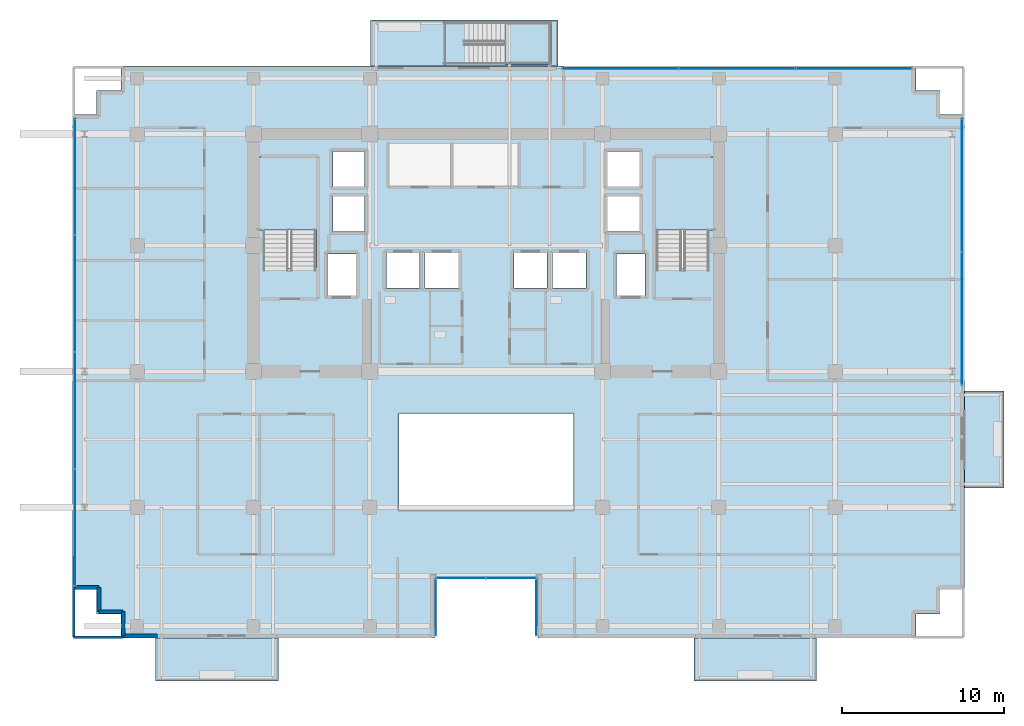
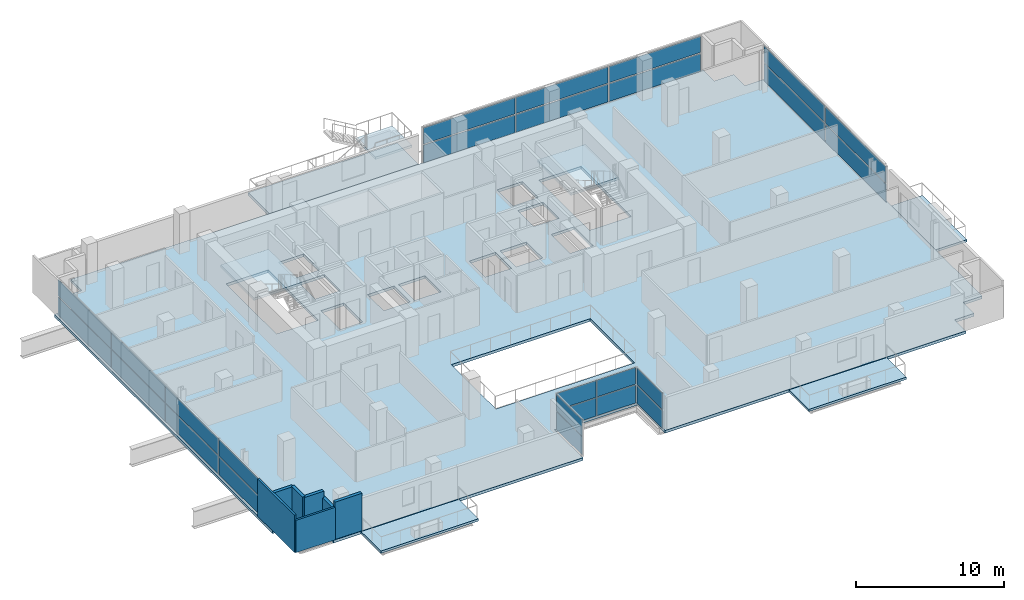
# One storey, part 17 of 27: 26 plates, 8 slabs, 7 walls, 9 elements without a shape of their own.
"""IFC4 building model written with IfcOpenShell, lengths in metres."""

from ifc_helpers import new_model, si_unit, direction, frame, frame_2d, origin, origin_2d, place, context, subcontext, project, spatial, polyline, rectangle, outline, extrude, source, transform, mapped, material, layer, layer_set, type_object, element, aggregate, save


model = new_model("IFC4")

# Units and contexts
model_context = context("Model", 3, precision=1e-05, world=origin(), true_north=direction((0.0, 1.0)))
body_context = subcontext(model_context, "Body", "Model", "MODEL_VIEW")
ifc_project = project(units=[si_unit("LENGTHUNIT", "METRE"), si_unit("AREAUNIT", "SQUARE_METRE"), si_unit("VOLUMEUNIT", "CUBIC_METRE"), si_unit("PLANEANGLEUNIT", "RADIAN"), si_unit("MASSUNIT", "GRAM", prefix="KILO")], contexts=[model_context])

# Site, building, storey
site_placement = place(None, origin())
site = spatial("IfcSite", under=ifc_project, at=site_placement, CompositionType="ELEMENT")
building_placement = place(site_placement, origin())
building = spatial("IfcBuilding", under=site, at=building_placement, Name="Zarnakvel Exchange Tower", CompositionType="ELEMENT")
storey_placement = place(building_placement, frame((0.0, 0.0, 113.199951171875)))
storey = spatial("IfcBuildingStorey", under=building, at=storey_placement, Name="L31", CompositionType="ELEMENT", Elevation=113.199951171875)

# Stair, slab
ifc_material_1 = material(Name="Concrete C40/50", Category="concrete")
stair_type_1 = type_object("IfcStairType", Name="STR-01", PredefinedType="HALF_TURN_STAIR", material=ifc_material_1)
stair_1_placement = place(storey_placement, origin())
stair_1 = element("IfcStair", 1, at=stair_1_placement, inside=storey, type_object=stair_type_1, Name="L31 Protected Core Exit Stair ST-01", PredefinedType="HALF_TURN_STAIR")
ifc_layer_1 = layer(ifc_material_1, 0.199951171875)
ifc_layer_set_1 = layer_set([ifc_layer_1], Name="Concrete C40/50")
slab_type_1 = type_object("IfcSlabType", Name="LDG-01", PredefinedType="LANDING", material=ifc_layer_set_1)
slab_1_placement = place(storey_placement, frame((0.0, 0.0, 1.449951171875)))
slab_1 = element("IfcSlab", 2, at=slab_1_placement, type_object=slab_type_1, Name="ST-01 landing 1", PredefinedType="LANDING", context=body_context, shape_type="SweptSolid", body=[
    extrude(outline(polyline([(-14.18994140625, 7.570068359375), (-10.4599609375, 7.570068359375), (-10.4599609375, 12.080078125), (-14.18994140625, 12.080078125), (-14.18994140625, 7.570068359375)])), origin(), (0.0, 0.0, 1.0), 0.2001953125),
])
aggregate(stair_1, [slab_1])

stair_2_placement = place(storey_placement, origin())
stair_2 = element("IfcStair", 3, at=stair_2_placement, inside=storey, type_object=stair_type_1, Name="L31 Protected Core Exit Stair ST-02", PredefinedType="HALF_TURN_STAIR")
slab_2_placement = place(storey_placement, frame((0.0, 0.0, 1.449951171875)))
slab_2 = element("IfcSlab", 4, at=slab_2_placement, type_object=slab_type_1, Name="ST-02 landing 1", PredefinedType="LANDING", context=body_context, shape_type="SweptSolid", body=[
    extrude(outline(polyline([(10.4599609375, 7.570068359375), (14.18994140625, 7.570068359375), (14.18994140625, 12.080078125), (10.4599609375, 12.080078125), (10.4599609375, 7.570068359375)])), origin(), (0.0, 0.0, 1.0), 0.2001953125),
])
aggregate(stair_2, [slab_2])

stair_type_2 = type_object("IfcStairType", Name="STR-05", PredefinedType="HALF_TURN_STAIR", material=ifc_material_1)
stair_3_placement = place(storey_placement, origin())
stair_3 = element("IfcStair", 5, at=stair_3_placement, inside=storey, type_object=stair_type_2, Name="L31 Spiral Sky-Terrace Connecting Stair ST-10", PredefinedType="HALF_TURN_STAIR")
slab_3_placement = place(storey_placement, frame((0.0, 0.0, 1.449951171875)))
slab_3 = element("IfcSlab", 6, at=slab_3_placement, type_object=slab_type_1, Name="ST-10 landing 1", PredefinedType="LANDING", context=body_context, shape_type="SweptSolid", body=[
    extrude(outline(polyline([(1.169921875, 17.820068359375), (4.0, 17.820068359375), (4.0, 20.43994140625), (1.169921875, 20.43994140625), (1.169921875, 17.820068359375)])), origin(), (0.0, 0.0, 1.0), 0.2001953125),
])
aggregate(stair_3, [slab_3])

# Slabs
ifc_layer_2 = layer(ifc_material_1, 0.22509765625)
ifc_layer_set_2 = layer_set([ifc_layer_2], Name="Concrete C40/50")
slab_type_2 = type_object("IfcSlabType", Name="SL-04", PredefinedType="FLOOR", material=ifc_layer_set_2)
slab_4_placement = place(storey_placement, frame((0.0, 0.0, -0.224853515625)))
element("IfcSlab", 7, at=slab_4_placement, inside=storey, type_object=slab_type_2, Name="L31 Primary Structural Floor Slab", PredefinedType="FLOOR", context=body_context, shape_type="SweptSolid", body=[
    extrude(outline(polyline([(-25.60009765625, -14.699951171875), (-24.10009765625, -14.699951171875), (-24.10009765625, -16.199951171875), (-22.60009765625, -16.199951171875), (-22.60009765625, -17.699951171875), (-3.199951171875, -17.699951171875), (-3.199951171875, -13.89990234375), (3.199951171875, -13.89990234375), (3.199951171875, -17.699951171875), (26.60009765625, -17.699951171875), (26.60009765625, -16.199951171875), (28.10009765625, -16.199951171875), (28.10009765625, -14.699951171875), (29.60009765625, -14.699951171875), (29.60009765625, 14.699951171875), (28.10009765625, 14.699951171875), (28.10009765625, 16.199951171875), (26.60009765625, 16.199951171875), (26.60009765625, 17.699951171875), (-22.60009765625, 17.699951171875), (-22.60009765625, 16.199951171875), (-24.10009765625, 16.199951171875), (-24.10009765625, 14.699951171875), (-25.60009765625, 14.699951171875), (-25.60009765625, -14.699951171875)]), holes=[polyline([(-5.39990234375, -9.800048828125), (5.39990234375, -9.800048828125), (5.39990234375, -3.800048828125), (-5.39990234375, -3.800048828125), (-5.39990234375, -9.800048828125)]), polyline([(-13.800048828125, 5.2099609375), (-10.5400390625, 5.2099609375), (-10.5400390625, 12.0), (-13.800048828125, 12.0), (-13.800048828125, 5.2099609375)]), polyline([(10.5400390625, 5.2099609375), (13.800048828125, 5.2099609375), (13.800048828125, 12.0), (10.5400390625, 12.0), (10.5400390625, 5.2099609375)]), polyline([(-9.830078125, 3.52001953125), (-8.070068359375, 3.52001953125), (-8.070068359375, 6.080078125), (-9.830078125, 6.080078125), (-9.830078125, 3.52001953125)]), polyline([(8.070068359375, 3.52001953125), (9.830078125, 3.52001953125), (9.830078125, 6.080078125), (8.070068359375, 6.080078125), (8.070068359375, 3.52001953125)]), polyline([(-6.179931640625, 3.969970703125), (-4.1201171875, 3.969970703125), (-4.1201171875, 6.1298828125), (-6.179931640625, 6.1298828125), (-6.179931640625, 3.969970703125)]), polyline([(-3.780029296875, 3.969970703125), (-1.719970703125, 3.969970703125), (-1.719970703125, 6.1298828125), (-3.780029296875, 6.1298828125), (-3.780029296875, 3.969970703125)]), polyline([(1.719970703125, 3.969970703125), (3.780029296875, 3.969970703125), (3.780029296875, 6.1298828125), (1.719970703125, 6.1298828125), (1.719970703125, 3.969970703125)]), polyline([(4.1201171875, 3.969970703125), (6.179931640625, 3.969970703125), (6.179931640625, 6.1298828125), (4.1201171875, 6.1298828125), (4.1201171875, 3.969970703125)]), polyline([(-9.47998046875, 7.469970703125), (-7.52001953125, 7.469970703125), (-7.52001953125, 9.6298828125), (-9.47998046875, 9.6298828125), (-9.47998046875, 7.469970703125)]), polyline([(-9.47998046875, 10.27001953125), (-7.52001953125, 10.27001953125), (-7.52001953125, 12.429931640625), (-9.47998046875, 12.429931640625), (-9.47998046875, 10.27001953125)]), polyline([(7.52001953125, 7.469970703125), (9.47998046875, 7.469970703125), (9.47998046875, 9.6298828125), (7.52001953125, 9.6298828125), (7.52001953125, 7.469970703125)]), polyline([(7.52001953125, 10.27001953125), (9.47998046875, 10.27001953125), (9.47998046875, 12.429931640625), (7.52001953125, 12.429931640625), (7.52001953125, 10.27001953125)])]), origin(), (0.0, 0.0, 1.0), 0.224853515625),
])
ifc_layer_3 = layer(ifc_material_1, 0.25)
ifc_layer_set_3 = layer_set([ifc_layer_3], Name="Concrete C40/50")
slab_type_3 = type_object("IfcSlabType", Name="SL-07", PredefinedType="ROOF", material=ifc_layer_set_3)
slab_5_placement = place(storey_placement, frame((0.0, 0.0, -0.25)))
element("IfcSlab", 8, at=slab_5_placement, inside=storey, type_object=slab_type_3, Name="L31 Spiral Sky-Terrace Outdoor Slab (NW)", PredefinedType="ROOF", context=body_context, shape_type="SweptSolid", body=[
    extrude(outline(polyline([(-7.14990234375, 17.699951171875), (4.449951171875, 17.699951171875), (4.449951171875, 20.56005859375), (-7.14990234375, 20.56005859375), (-7.14990234375, 17.699951171875)])), origin(), (0.0, 0.0, 1.0), 0.25),
])
ifc_layer_4 = layer(ifc_material_1, 0.18994140625)
ifc_layer_set_4 = layer_set([ifc_layer_4], Name="Concrete C40/50")
slab_type_4 = type_object("IfcSlabType", Name="SL-08", PredefinedType="USERDEFINED", material=ifc_layer_set_4)
slab_6_placement = place(storey_placement, frame((0.0, 0.0, -0.224853515625)))
element("IfcSlab", 9, at=slab_6_placement, inside=storey, type_object=slab_type_4, Name="L31 Planted Loggia Balcony Slab BAL-L31-SW", ObjectType="BALCONY", PredefinedType="USERDEFINED", context=body_context, shape_type="SweptSolid", body=[
    extrude(outline(polyline([(-20.449951171875, -20.35009765625), (-12.85009765625, -20.35009765625), (-12.85009765625, -17.699951171875), (-20.449951171875, -17.699951171875), (-20.449951171875, -20.35009765625)])), origin(), (0.0, 0.0, 1.0), 0.18994140625),
])
slab_7_placement = place(storey_placement, frame((0.0, 0.0, -0.224853515625)))
element("IfcSlab", 10, at=slab_7_placement, inside=storey, type_object=slab_type_4, Name="L31 Planted Loggia Balcony Slab BAL-L31-SE", ObjectType="BALCONY", PredefinedType="USERDEFINED", context=body_context, shape_type="SweptSolid", body=[
    extrude(outline(polyline([(12.85009765625, -20.35009765625), (20.449951171875, -20.35009765625), (20.449951171875, -17.699951171875), (12.85009765625, -17.699951171875), (12.85009765625, -20.35009765625)])), origin(), (0.0, 0.0, 1.0), 0.18994140625),
])
slab_8_placement = place(storey_placement, frame((0.0, 0.0, -0.224853515625)))
element("IfcSlab", 11, at=slab_8_placement, inside=storey, type_object=slab_type_4, Name="L31 Planted Loggia Balcony Slab BAL-L31-E", ObjectType="BALCONY", PredefinedType="USERDEFINED", context=body_context, shape_type="SweptSolid", body=[
    extrude(outline(polyline([(29.60009765625, -8.39990234375), (32.050048828125, -8.39990234375), (32.050048828125, -2.39990234375), (29.60009765625, -2.39990234375), (29.60009765625, -8.39990234375)])), origin(), (0.0, 0.0, 1.0), 0.18994140625),
])

# Curtain wall, plate
ifc_material_2 = material(Name="Architectural Bronze Anodised Aluminium", Category="aluminium")
ifc_layer_5 = layer(ifc_material_2, 0.179931640625)
ifc_layer_set_5 = layer_set([ifc_layer_5], Name="Architectural Bronze Anodised Aluminium")
curtain_wall_type_1 = type_object("IfcCurtainWallType", Name="CW-05", PredefinedType="NOTDEFINED", material=ifc_layer_set_5)
curtain_wall_1_placement = place(storey_placement, origin())
curtain_wall_1 = element("IfcCurtainWall", 12, at=curtain_wall_1_placement, inside=storey, type_object=curtain_wall_type_1, Name="L31 Curtain Wall CW-L31-SLW (CW-05)", PredefinedType="NOTDEFINED")
ifc_material_3 = material(Name="Double Low-E Laminated Vision Glass", Category="glass")
ifc_layer_6 = layer(ifc_material_3, 0.02587890625)
ifc_layer_set_6 = layer_set([ifc_layer_6], Name="Double Low-E Laminated Vision Glass")
plate_type_1 = type_object("IfcPlateType", Name="CWP-05", PredefinedType="CURTAIN_PANEL", material=ifc_layer_set_6)
shared_shape_1 = source(origin(), body_context, "Body", "SweptSolid", [
    extrude(rectangle(XDim=3.4599609375, YDim=0.02587890625, at=origin_2d()), origin(), (0.0, 0.0, 1.0), 1.483642578125),
])
plate_1_placement = place(storey_placement, frame((-3.1201171875, -15.780029296875, 0.06982421875), z_axis=(0.0, 0.0, 1.0), x_axis=(0.0, 1.0, 0.0)))
plate_1 = element("IfcPlate", 13, at=plate_1_placement, type_object=plate_type_1, Name="CW-05 panel 1.1", PredefinedType="CURTAIN_PANEL", context=body_context, shape_type="MappedRepresentation", body=[
    mapped(shared_shape_1, transform((0.0, 0.0, 0.0), x_axis=(1.0, 0.0, 0.0), y_axis=(0.0, 1.0, 0.0), z_axis=(0.0, 0.0, 1.0), scale=1.0)),
])

curtain_wall_2_placement = place(storey_placement, origin())
curtain_wall_2 = element("IfcCurtainWall", 14, at=curtain_wall_2_placement, inside=storey, type_object=curtain_wall_type_1, Name="L31 Curtain Wall CW-L31-SLE (CW-05)", PredefinedType="NOTDEFINED")
plate_2_placement = place(storey_placement, frame((3.1201171875, -15.780029296875, 0.06982421875), z_axis=(0.0, 0.0, 1.0), x_axis=(0.0, -1.0, 0.0)))
plate_2 = element("IfcPlate", 15, at=plate_2_placement, type_object=plate_type_1, Name="CW-05 panel 1.1", PredefinedType="CURTAIN_PANEL", context=body_context, shape_type="MappedRepresentation", body=[
    mapped(shared_shape_1, transform((0.0, 0.0, 0.0), x_axis=(1.0, 0.0, 0.0), y_axis=(0.0, 1.0, 0.0), z_axis=(0.0, 0.0, 1.0), scale=1.0)),
])

# Plate
shared_shape_2 = source(origin(), body_context, "Body", "SweptSolid", [
    extrude(rectangle(XDim=3.4599609375, YDim=0.02587890625, at=origin_2d()), origin(), (0.0, 0.0, 1.0), 1.361328125),
])
plate_3_placement = place(storey_placement, frame((-3.1201171875, -15.780029296875, 1.623779296875), z_axis=(0.0, 0.0, 1.0), x_axis=(0.0, 1.0, 0.0)))
plate_3 = element("IfcPlate", 16, at=plate_3_placement, type_object=plate_type_1, Name="CW-05 panel 1.2", PredefinedType="CURTAIN_PANEL", context=body_context, shape_type="MappedRepresentation", body=[
    mapped(shared_shape_2, transform((0.0, 0.0, 0.0), x_axis=(1.0, 0.0, 0.0), y_axis=(0.0, 1.0, 0.0), z_axis=(0.0, 0.0, 1.0), scale=1.0)),
])

aggregate(curtain_wall_1, [plate_1, plate_3])

plate_4_placement = place(storey_placement, frame((3.1201171875, -15.780029296875, 1.623779296875), z_axis=(0.0, 0.0, 1.0), x_axis=(0.0, -1.0, 0.0)))
plate_4 = element("IfcPlate", 17, at=plate_4_placement, type_object=plate_type_1, Name="CW-05 panel 1.2", PredefinedType="CURTAIN_PANEL", context=body_context, shape_type="MappedRepresentation", body=[
    mapped(shared_shape_2, transform((0.0, 0.0, 0.0), x_axis=(1.0, 0.0, 0.0), y_axis=(0.0, 1.0, 0.0), z_axis=(0.0, 0.0, 1.0), scale=1.0)),
])

aggregate(curtain_wall_2, [plate_2, plate_4])

# Curtain wall, plates
curtain_wall_3_placement = place(storey_placement, origin())
curtain_wall_3 = element("IfcCurtainWall", 18, at=curtain_wall_3_placement, inside=storey, type_object=curtain_wall_type_1, Name="L31 Curtain Wall CW-L31-SLB (CW-05)", PredefinedType="NOTDEFINED")
shared_shape_3 = source(origin(), body_context, "Body", "SweptSolid", [
    extrude(rectangle(XDim=3.014892578125, YDim=0.02587890625, at=origin_2d()), origin(), (0.0, 0.0, 1.0), 1.483642578125),
])
plate_5_placement = place(storey_placement, frame((-1.54248046875, -13.97998046875, 0.06982421875), z_axis=(0.0, 0.0, 1.0), x_axis=(1.0, 0.0, 0.0)))
plate_5 = element("IfcPlate", 19, at=plate_5_placement, type_object=plate_type_1, Name="CW-05 panel 1.1", PredefinedType="CURTAIN_PANEL", context=body_context, shape_type="MappedRepresentation", body=[
    mapped(shared_shape_3, transform((0.0, 0.0, 0.0), x_axis=(1.0, 0.0, 0.0), y_axis=(0.0, 1.0, 0.0), z_axis=(0.0, 0.0, 1.0), scale=1.0)),
])
plate_6_placement = place(storey_placement, frame((1.54248046875, -13.97998046875, 0.06982421875), z_axis=(0.0, 0.0, 1.0), x_axis=(1.0, 0.0, 0.0)))
plate_6 = element("IfcPlate", 20, at=plate_6_placement, type_object=plate_type_1, Name="CW-05 panel 2.1", PredefinedType="CURTAIN_PANEL", context=body_context, shape_type="MappedRepresentation", body=[
    mapped(shared_shape_3, transform((0.0, 0.0, 0.0), x_axis=(1.0, 0.0, 0.0), y_axis=(0.0, 1.0, 0.0), z_axis=(0.0, 0.0, 1.0), scale=1.0)),
])
shared_shape_4 = source(origin(), body_context, "Body", "SweptSolid", [
    extrude(rectangle(XDim=3.014892578125, YDim=0.02587890625, at=origin_2d()), origin(), (0.0, 0.0, 1.0), 1.361328125),
])
plate_7_placement = place(storey_placement, frame((-1.54248046875, -13.97998046875, 1.623779296875), z_axis=(0.0, 0.0, 1.0), x_axis=(1.0, 0.0, 0.0)))
plate_7 = element("IfcPlate", 21, at=plate_7_placement, type_object=plate_type_1, Name="CW-05 panel 1.2", PredefinedType="CURTAIN_PANEL", context=body_context, shape_type="MappedRepresentation", body=[
    mapped(shared_shape_4, transform((0.0, 0.0, 0.0), x_axis=(1.0, 0.0, 0.0), y_axis=(0.0, 1.0, 0.0), z_axis=(0.0, 0.0, 1.0), scale=1.0)),
])
plate_8_placement = place(storey_placement, frame((1.54248046875, -13.97998046875, 1.623779296875), z_axis=(0.0, 0.0, 1.0), x_axis=(1.0, 0.0, 0.0)))
plate_8 = element("IfcPlate", 22, at=plate_8_placement, type_object=plate_type_1, Name="CW-05 panel 2.2", PredefinedType="CURTAIN_PANEL", context=body_context, shape_type="MappedRepresentation", body=[
    mapped(shared_shape_4, transform((0.0, 0.0, 0.0), x_axis=(1.0, 0.0, 0.0), y_axis=(0.0, 1.0, 0.0), z_axis=(0.0, 0.0, 1.0), scale=1.0)),
])
aggregate(curtain_wall_3, [plate_5, plate_7, plate_6, plate_8])

ifc_layer_7 = layer(ifc_material_2, 0.239990234375)
ifc_layer_set_7 = layer_set([ifc_layer_7], Name="Architectural Bronze Anodised Aluminium")
curtain_wall_type_2 = type_object("IfcCurtainWallType", Name="CW-02", PredefinedType="NOTDEFINED", material=ifc_layer_set_7)
curtain_wall_4_placement = place(storey_placement, origin())
curtain_wall_4 = element("IfcCurtainWall", 23, at=curtain_wall_4_placement, inside=storey, type_object=curtain_wall_type_2, Name="L31 Curtain Wall CW-L31-N1 (CW-02)", PredefinedType="NOTDEFINED")
ifc_layer_8 = layer(ifc_material_3, 0.031982421875)
ifc_layer_set_8 = layer_set([ifc_layer_8], Name="Double Low-E Laminated Vision Glass")
plate_type_2 = type_object("IfcPlateType", Name="CWP-02", PredefinedType="CURTAIN_PANEL", material=ifc_layer_set_8)
shared_shape_5 = source(origin(), body_context, "Body", "SweptSolid", [
    extrude(rectangle(XDim=7.114990234375, YDim=0.031982421875, at=origin_2d()), origin(), (0.0, 0.0, 1.0), 1.461181640625),
])
plate_9_placement = place(storey_placement, frame((8.297607421875, 17.56005859375, 0.0849609375), z_axis=(0.0, 0.0, 1.0), x_axis=(1.0, 0.0, 0.0)))
plate_9 = element("IfcPlate", 24, at=plate_9_placement, type_object=plate_type_2, Name="CW-02 panel 1.1", PredefinedType="CURTAIN_PANEL", context=body_context, shape_type="MappedRepresentation", body=[
    mapped(shared_shape_5, transform((0.0, 0.0, 0.0), x_axis=(1.0, 0.0, 0.0), y_axis=(0.0, 1.0, 0.0), z_axis=(0.0, 0.0, 1.0), scale=1.0)),
])
plate_10_placement = place(storey_placement, frame((22.75244140625, 17.56005859375, 0.0849609375), z_axis=(0.0, 0.0, 1.0), x_axis=(1.0, 0.0, 0.0)))
plate_10 = element("IfcPlate", 25, at=plate_10_placement, type_object=plate_type_2, Name="CW-02 panel 3.1", PredefinedType="CURTAIN_PANEL", context=body_context, shape_type="MappedRepresentation", body=[
    mapped(shared_shape_5, transform((0.0, 0.0, 0.0), x_axis=(1.0, 0.0, 0.0), y_axis=(0.0, 1.0, 0.0), z_axis=(0.0, 0.0, 1.0), scale=1.0)),
])
shared_shape_6 = source(origin(), body_context, "Body", "SweptSolid", [
    extrude(rectangle(XDim=7.114990234375, YDim=0.031982421875, at=origin_2d()), origin(), (0.0, 0.0, 1.0), 1.3388671875),
])
plate_11_placement = place(storey_placement, frame((8.297607421875, 17.56005859375, 1.631103515625), z_axis=(0.0, 0.0, 1.0), x_axis=(1.0, 0.0, 0.0)))
plate_11 = element("IfcPlate", 26, at=plate_11_placement, type_object=plate_type_2, Name="CW-02 panel 1.2", PredefinedType="CURTAIN_PANEL", context=body_context, shape_type="MappedRepresentation", body=[
    mapped(shared_shape_6, transform((0.0, 0.0, 0.0), x_axis=(1.0, 0.0, 0.0), y_axis=(0.0, 1.0, 0.0), z_axis=(0.0, 0.0, 1.0), scale=1.0)),
])
plate_12_placement = place(storey_placement, frame((22.75244140625, 17.56005859375, 1.631103515625), z_axis=(0.0, 0.0, 1.0), x_axis=(1.0, 0.0, 0.0)))
plate_12 = element("IfcPlate", 27, at=plate_12_placement, type_object=plate_type_2, Name="CW-02 panel 3.2", PredefinedType="CURTAIN_PANEL", context=body_context, shape_type="MappedRepresentation", body=[
    mapped(shared_shape_6, transform((0.0, 0.0, 0.0), x_axis=(1.0, 0.0, 0.0), y_axis=(0.0, 1.0, 0.0), z_axis=(0.0, 0.0, 1.0), scale=1.0)),
])
shared_shape_7 = source(origin(), body_context, "Body", "SweptSolid", [
    extrude(rectangle(XDim=7.159912109375, YDim=0.031982421875, at=origin_2d()), origin(), (0.0, 0.0, 1.0), 1.461181640625),
])
plate_13_placement = place(storey_placement, frame((15.52490234375, 17.56005859375, 0.0849609375), z_axis=(0.0, 0.0, 1.0), x_axis=(1.0, 0.0, 0.0)))
plate_13 = element("IfcPlate", 28, at=plate_13_placement, type_object=plate_type_2, Name="CW-02 panel 2.1", PredefinedType="CURTAIN_PANEL", context=body_context, shape_type="MappedRepresentation", body=[
    mapped(shared_shape_7, transform((0.0, 0.0, 0.0), x_axis=(1.0, 0.0, 0.0), y_axis=(0.0, 1.0, 0.0), z_axis=(0.0, 0.0, 1.0), scale=1.0)),
])
shared_shape_8 = source(origin(), body_context, "Body", "SweptSolid", [
    extrude(rectangle(XDim=7.159912109375, YDim=0.031982421875, at=origin_2d()), origin(), (0.0, 0.0, 1.0), 1.3388671875),
])
plate_14_placement = place(storey_placement, frame((15.52490234375, 17.56005859375, 1.631103515625), z_axis=(0.0, 0.0, 1.0), x_axis=(1.0, 0.0, 0.0)))
plate_14 = element("IfcPlate", 29, at=plate_14_placement, type_object=plate_type_2, Name="CW-02 panel 2.2", PredefinedType="CURTAIN_PANEL", context=body_context, shape_type="MappedRepresentation", body=[
    mapped(shared_shape_8, transform((0.0, 0.0, 0.0), x_axis=(1.0, 0.0, 0.0), y_axis=(0.0, 1.0, 0.0), z_axis=(0.0, 0.0, 1.0), scale=1.0)),
])
aggregate(curtain_wall_4, [plate_9, plate_11, plate_13, plate_14, plate_10, plate_12])

ifc_layer_9 = layer(ifc_material_2, 0.199951171875)
ifc_layer_set_9 = layer_set([ifc_layer_9], Name="Architectural Bronze Anodised Aluminium")
curtain_wall_type_3 = type_object("IfcCurtainWallType", Name="CW-04", PredefinedType="NOTDEFINED", material=ifc_layer_set_9)
curtain_wall_5_placement = place(storey_placement, origin())
curtain_wall_5 = element("IfcCurtainWall", 30, at=curtain_wall_5_placement, inside=storey, type_object=curtain_wall_type_3, Name="L31 Curtain Wall CW-L31-W1 (CW-04)", PredefinedType="NOTDEFINED")
ifc_layer_10 = layer(ifc_material_3, 0.028076171875)
ifc_layer_set_10 = layer_set([ifc_layer_10], Name="Double Low-E Laminated Vision Glass")
plate_type_3 = type_object("IfcPlateType", Name="CWP-04", PredefinedType="CURTAIN_PANEL", material=ifc_layer_set_10)
shared_shape_9 = source(origin(), body_context, "Body", "SweptSolid", [
    extrude(rectangle(XDim=7.137451171875, YDim=0.028076171875, at=origin_2d()), origin(), (0.0, 0.0, 1.0), 1.47607421875),
])
plate_15_placement = place(storey_placement, frame((-25.4599609375, -10.856201171875, 0.074951171875), z_axis=(0.0, 0.0, 1.0), x_axis=(0.0, 1.0, 0.0)))
plate_15 = element("IfcPlate", 31, at=plate_15_placement, type_object=plate_type_3, Name="CW-04 panel 1.1", PredefinedType="CURTAIN_PANEL", context=body_context, shape_type="MappedRepresentation", body=[
    mapped(shared_shape_9, transform((0.0, 0.0, 0.0), x_axis=(1.0, 0.0, 0.0), y_axis=(0.0, 1.0, 0.0), z_axis=(0.0, 0.0, 1.0), scale=1.0)),
])
plate_16_placement = place(storey_placement, frame((-25.4599609375, 10.856201171875, 0.074951171875), z_axis=(0.0, 0.0, 1.0), x_axis=(0.0, 1.0, 0.0)))
plate_16 = element("IfcPlate", 32, at=plate_16_placement, type_object=plate_type_3, Name="CW-04 panel 4.1", PredefinedType="CURTAIN_PANEL", context=body_context, shape_type="MappedRepresentation", body=[
    mapped(shared_shape_9, transform((0.0, 0.0, 0.0), x_axis=(1.0, 0.0, 0.0), y_axis=(0.0, 1.0, 0.0), z_axis=(0.0, 0.0, 1.0), scale=1.0)),
])
shared_shape_10 = source(origin(), body_context, "Body", "SweptSolid", [
    extrude(rectangle(XDim=7.137451171875, YDim=0.028076171875, at=origin_2d()), origin(), (0.0, 0.0, 1.0), 1.35400390625),
])
plate_17_placement = place(storey_placement, frame((-25.4599609375, -10.856201171875, 1.6259765625), z_axis=(0.0, 0.0, 1.0), x_axis=(0.0, 1.0, 0.0)))
plate_17 = element("IfcPlate", 33, at=plate_17_placement, type_object=plate_type_3, Name="CW-04 panel 1.2", PredefinedType="CURTAIN_PANEL", context=body_context, shape_type="MappedRepresentation", body=[
    mapped(shared_shape_10, transform((0.0, 0.0, 0.0), x_axis=(1.0, 0.0, 0.0), y_axis=(0.0, 1.0, 0.0), z_axis=(0.0, 0.0, 1.0), scale=1.0)),
])
plate_18_placement = place(storey_placement, frame((-25.4599609375, 10.856201171875, 1.6259765625), z_axis=(0.0, 0.0, 1.0), x_axis=(0.0, 1.0, 0.0)))
plate_18 = element("IfcPlate", 34, at=plate_18_placement, type_object=plate_type_3, Name="CW-04 panel 4.2", PredefinedType="CURTAIN_PANEL", context=body_context, shape_type="MappedRepresentation", body=[
    mapped(shared_shape_10, transform((0.0, 0.0, 0.0), x_axis=(1.0, 0.0, 0.0), y_axis=(0.0, 1.0, 0.0), z_axis=(0.0, 0.0, 1.0), scale=1.0)),
])
shared_shape_11 = source(origin(), body_context, "Body", "SweptSolid", [
    extrude(rectangle(XDim=7.175048828125, YDim=0.028076171875, at=origin_2d()), origin(), (0.0, 0.0, 1.0), 1.47607421875),
])
plate_19_placement = place(storey_placement, frame((-25.4599609375, -3.625, 0.074951171875), z_axis=(0.0, 0.0, 1.0), x_axis=(0.0, 1.0, 0.0)))
plate_19 = element("IfcPlate", 35, at=plate_19_placement, type_object=plate_type_3, Name="CW-04 panel 2.1", PredefinedType="CURTAIN_PANEL", context=body_context, shape_type="MappedRepresentation", body=[
    mapped(shared_shape_11, transform((0.0, 0.0, 0.0), x_axis=(1.0, 0.0, 0.0), y_axis=(0.0, 1.0, 0.0), z_axis=(0.0, 0.0, 1.0), scale=1.0)),
])
plate_20_placement = place(storey_placement, frame((-25.4599609375, 3.625, 0.074951171875), z_axis=(0.0, 0.0, 1.0), x_axis=(0.0, 1.0, 0.0)))
plate_20 = element("IfcPlate", 36, at=plate_20_placement, type_object=plate_type_3, Name="CW-04 panel 3.1", PredefinedType="CURTAIN_PANEL", context=body_context, shape_type="MappedRepresentation", body=[
    mapped(shared_shape_11, transform((0.0, 0.0, 0.0), x_axis=(1.0, 0.0, 0.0), y_axis=(0.0, 1.0, 0.0), z_axis=(0.0, 0.0, 1.0), scale=1.0)),
])
shared_shape_12 = source(origin(), body_context, "Body", "SweptSolid", [
    extrude(rectangle(XDim=7.175048828125, YDim=0.028076171875, at=origin_2d()), origin(), (0.0, 0.0, 1.0), 1.35400390625),
])
plate_21_placement = place(storey_placement, frame((-25.4599609375, -3.625, 1.6259765625), z_axis=(0.0, 0.0, 1.0), x_axis=(0.0, 1.0, 0.0)))
plate_21 = element("IfcPlate", 37, at=plate_21_placement, type_object=plate_type_3, Name="CW-04 panel 2.2", PredefinedType="CURTAIN_PANEL", context=body_context, shape_type="MappedRepresentation", body=[
    mapped(shared_shape_12, transform((0.0, 0.0, 0.0), x_axis=(1.0, 0.0, 0.0), y_axis=(0.0, 1.0, 0.0), z_axis=(0.0, 0.0, 1.0), scale=1.0)),
])
plate_22_placement = place(storey_placement, frame((-25.4599609375, 3.625, 1.6259765625), z_axis=(0.0, 0.0, 1.0), x_axis=(0.0, 1.0, 0.0)))
plate_22 = element("IfcPlate", 38, at=plate_22_placement, type_object=plate_type_3, Name="CW-04 panel 3.2", PredefinedType="CURTAIN_PANEL", context=body_context, shape_type="MappedRepresentation", body=[
    mapped(shared_shape_12, transform((0.0, 0.0, 0.0), x_axis=(1.0, 0.0, 0.0), y_axis=(0.0, 1.0, 0.0), z_axis=(0.0, 0.0, 1.0), scale=1.0)),
])
aggregate(curtain_wall_5, [plate_15, plate_17, plate_19, plate_21, plate_20, plate_22, plate_16, plate_18])

curtain_wall_6_placement = place(storey_placement, origin())
curtain_wall_6 = element("IfcCurtainWall", 39, at=curtain_wall_6_placement, inside=storey, type_object=curtain_wall_type_3, Name="L31 Curtain Wall CW-L31-EN (CW-04)", PredefinedType="NOTDEFINED")
shared_shape_13 = source(origin(), body_context, "Body", "SweptSolid", [
    extrude(rectangle(XDim=8.1875, YDim=0.028076171875, at=origin_2d()), origin(), (0.0, 0.0, 1.0), 1.47607421875),
])
plate_23_placement = place(storey_placement, frame((29.4599609375, 2.06884765625, 0.074951171875), z_axis=(0.0, 0.0, 1.0), x_axis=(0.0, 1.0, 0.0)))
plate_23 = element("IfcPlate", 40, at=plate_23_placement, type_object=plate_type_3, Name="CW-04 panel 1.1", PredefinedType="CURTAIN_PANEL", context=body_context, shape_type="MappedRepresentation", body=[
    mapped(shared_shape_13, transform((0.0, 0.0, 0.0), x_axis=(1.0, 0.0, 0.0), y_axis=(0.0, 1.0, 0.0), z_axis=(0.0, 0.0, 1.0), scale=1.0)),
])
plate_24_placement = place(storey_placement, frame((29.4599609375, 10.331298828125, 0.074951171875), z_axis=(0.0, 0.0, 1.0), x_axis=(0.0, 1.0, 0.0)))
plate_24 = element("IfcPlate", 41, at=plate_24_placement, type_object=plate_type_3, Name="CW-04 panel 2.1", PredefinedType="CURTAIN_PANEL", context=body_context, shape_type="MappedRepresentation", body=[
    mapped(shared_shape_13, transform((0.0, 0.0, 0.0), x_axis=(1.0, 0.0, 0.0), y_axis=(0.0, 1.0, 0.0), z_axis=(0.0, 0.0, 1.0), scale=1.0)),
])
shared_shape_14 = source(origin(), body_context, "Body", "SweptSolid", [
    extrude(rectangle(XDim=8.1875, YDim=0.028076171875, at=origin_2d()), origin(), (0.0, 0.0, 1.0), 1.35400390625),
])
plate_25_placement = place(storey_placement, frame((29.4599609375, 2.06884765625, 1.6259765625), z_axis=(0.0, 0.0, 1.0), x_axis=(0.0, 1.0, 0.0)))
plate_25 = element("IfcPlate", 42, at=plate_25_placement, type_object=plate_type_3, Name="CW-04 panel 1.2", PredefinedType="CURTAIN_PANEL", context=body_context, shape_type="MappedRepresentation", body=[
    mapped(shared_shape_14, transform((0.0, 0.0, 0.0), x_axis=(1.0, 0.0, 0.0), y_axis=(0.0, 1.0, 0.0), z_axis=(0.0, 0.0, 1.0), scale=1.0)),
])
plate_26_placement = place(storey_placement, frame((29.4599609375, 10.331298828125, 1.6259765625), z_axis=(0.0, 0.0, 1.0), x_axis=(0.0, 1.0, 0.0)))
plate_26 = element("IfcPlate", 43, at=plate_26_placement, type_object=plate_type_3, Name="CW-04 panel 2.2", PredefinedType="CURTAIN_PANEL", context=body_context, shape_type="MappedRepresentation", body=[
    mapped(shared_shape_14, transform((0.0, 0.0, 0.0), x_axis=(1.0, 0.0, 0.0), y_axis=(0.0, 1.0, 0.0), z_axis=(0.0, 0.0, 1.0), scale=1.0)),
])
aggregate(curtain_wall_6, [plate_23, plate_25, plate_24, plate_26])

# Walls
ifc_material_4 = material(Name="Precast concrete C40/50", Category="concrete")
ifc_layer_11 = layer(ifc_material_4, 0.239990234375)
ifc_layer_set_11 = layer_set([ifc_layer_11], Name="Precast concrete C40/50")
wall_type_1 = type_object("IfcWallType", Name="EW-02", PredefinedType="SOLIDWALL", material=ifc_layer_set_11)
wall_1_placement = place(storey_placement, frame((-22.4599609375, -17.56005859375, 0.0), z_axis=(0.0, 0.0, 1.0), x_axis=(1.0, 0.0, 0.0)))
element("IfcWall", 44, at=wall_1_placement, inside=storey, type_object=wall_type_1, Name="L31 Exterior Precast Spandrel Wall EWC-L31-24 (EW-02)", PredefinedType="SOLIDWALL", context=body_context, shape_type="SweptSolid", body=[
    extrude(rectangle(XDim=2.10986328125, YDim=0.239990234375, at=frame_2d((1.054931640625, 0.0))), origin(), (0.0, 0.0, 1.0), 3.074951171875),
])
wall_2_placement = place(storey_placement, frame((-22.4599609375, -16.06005859375, 0.0), z_axis=(0.0, 0.0, 1.0), x_axis=(0.0, -1.0, 0.0)))
element("IfcWall", 45, at=wall_2_placement, inside=storey, type_object=wall_type_1, Name="L31 Exterior Precast Spandrel Wall EWC-L31-25 (EW-02)", PredefinedType="SOLIDWALL", context=body_context, shape_type="SweptSolid", body=[
    extrude(rectangle(XDim=1.5, YDim=0.239990234375, at=frame_2d((0.75, 0.0))), origin(), (0.0, 0.0, 1.0), 2.56494140625),
])
for number, where, z_axis, x_axis, name in (
    (46, (-23.9599609375, -16.06005859375, 0.0), (0.0, 0.0, 1.0), (1.0, 0.0, 0.0), "L31 Exterior Precast Spandrel Wall EWC-L31-26 (EW-02)"),
    (47, (-23.9599609375, -14.56005859375, 0.0), (0.0, 0.0, 1.0), (0.0, -1.0, 0.0), "L31 Exterior Precast Spandrel Wall EWC-L31-27 (EW-02)"),
    (48, (-25.4599609375, -14.56005859375, 0.0), (0.0, 0.0, 1.0), (1.0, 0.0, 0.0), "L31 Exterior Precast Spandrel Wall EWC-L31-28 (EW-02)"),
):
    element("IfcWall", number, at=place(storey_placement, frame(where, z_axis=z_axis, x_axis=x_axis)), inside=storey, type_object=wall_type_1, Name=name, PredefinedType="SOLIDWALL", context=body_context, shape_type="SweptSolid", body=[
        extrude(rectangle(XDim=1.5, YDim=0.239990234375, at=frame_2d((0.75, 0.0))), origin(), (0.0, 0.0, 1.0), 3.074951171875),
    ])
ifc_material_5 = material(Name="Fire-Rated Gypsum Stud Partition", Category="gypsum")
ifc_layer_12 = layer(ifc_material_5, 0.14990234375)
ifc_layer_set_12 = layer_set([ifc_layer_12], Name="Fire-Rated Gypsum Stud Partition")
wall_type_2 = type_object("IfcWallType", Name="PT-01", PredefinedType="PARTITIONING", material=ifc_layer_set_12)
wall_3_placement = place(storey_placement, frame((-22.4599609375, -17.6298828125, 0.0), z_axis=(0.0, 0.0, 1.0), x_axis=(-1.0, 0.0, 0.0)))
element("IfcWall", 49, at=wall_3_placement, inside=storey, type_object=wall_type_2, Name="L31 Partition Wall PWALL-L31-041 (PT-01)", PredefinedType="PARTITIONING", context=body_context, shape_type="SweptSolid", body=[
    extrude(rectangle(XDim=3.070068359375, YDim=0.14990234375, at=frame_2d((1.53515625, 0.0))), origin(), (0.0, 0.0, 1.0), 2.6650390625),
])
wall_4_placement = place(storey_placement, frame((-25.530029296875, -17.6298828125, 0.0), z_axis=(0.0, 0.0, 1.0), x_axis=(0.0, 1.0, 0.0)))
element("IfcWall", 50, at=wall_4_placement, inside=storey, type_object=wall_type_2, Name="L31 Partition Wall PWALL-L31-042 (PT-01)", PredefinedType="PARTITIONING", context=body_context, shape_type="SweptSolid", body=[
    extrude(rectangle(XDim=4.949951171875, YDim=0.14990234375, at=frame_2d((2.47509765625, 0.0))), origin(), (0.0, 0.0, 1.0), 3.074951171875),
])

save(model, "model.ifc")
